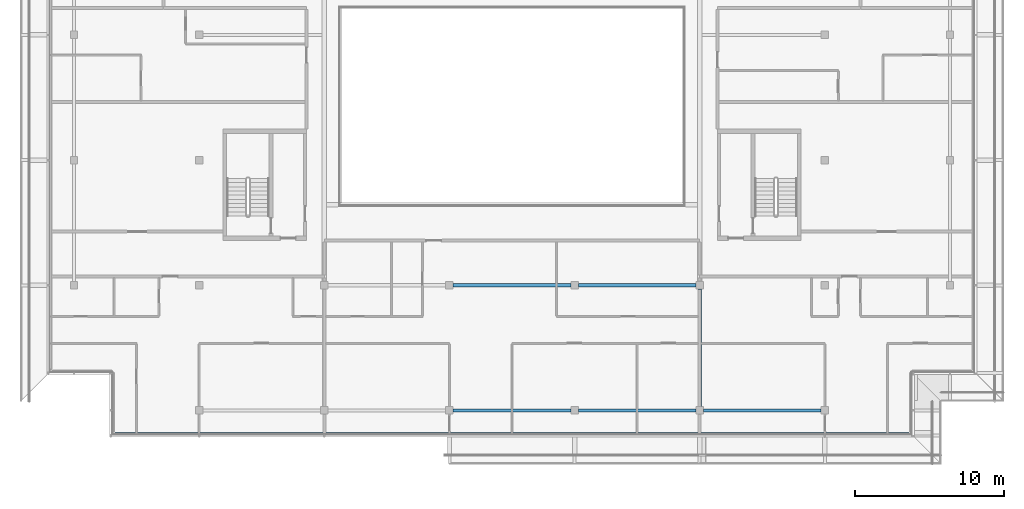
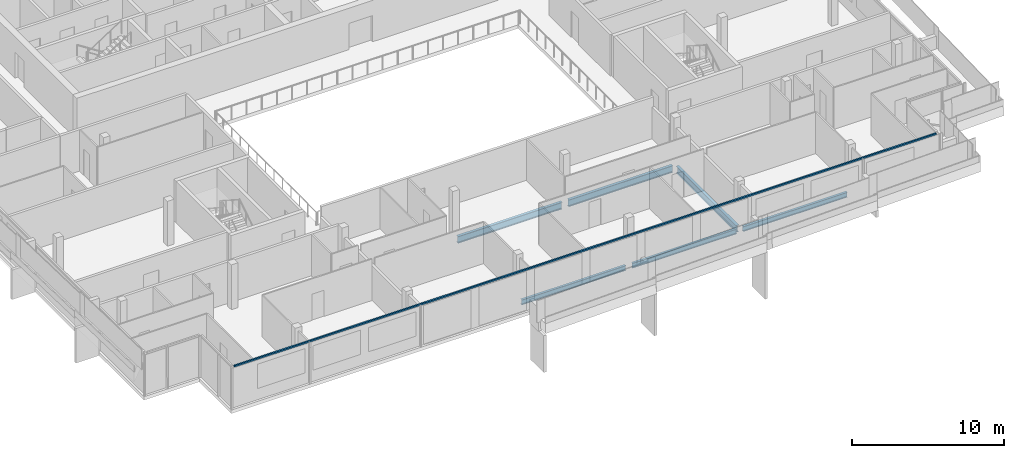
# One storey, part 5 of 26: 6 beams, 1 member, 1 element without a shape of its own.
"""IFC4 building model written with IfcOpenShell, lengths in metres."""

import ifcopenshell
import ifcopenshell.guid

model = None  # the IFC model being written
_history = None  # IfcOwnerHistory: only IFC2X3 demands one
_inside = {}  # id of a spatial element -> (the spatial element, [elements in it])
_under = {}  # id of a project, library or spatial element -> (it, [spatial elements below it])
_declared = {}  # id of a project -> (the project, [libraries it declares])
_typed = {}  # id of a type object -> (the type object, [elements of that type])
_made_of = {}  # id of a material, layer set ... -> (it, [elements and type objects made of it])


def new_model(schema):
    """Start an empty IFC model of exactly this schema.

    Asked for "IFC4X3", IfcOpenShell would pick the latest addendum, in which some entities
    have other attributes; the version numbers below select the first issue.
    IFC2X3 requires an IfcOwnerHistory on every rooted entity: one is made here for all.
    """
    global model, _history
    if schema == "IFC4X3":
        model = ifcopenshell.file(schema_version=(4, 3, 0, 0))
    else:
        model = ifcopenshell.file(schema=schema)
    _inside.clear()
    _under.clear()
    _declared.clear()
    _typed.clear()
    _made_of.clear()
    _history = None
    if model.schema == "IFC2X3":
        org = make("IfcOrganization", Name="unknown")
        user = make(
            "IfcPersonAndOrganization",
            ThePerson=make("IfcPerson", FamilyName="unknown"),
            TheOrganization=org,
        )
        app = make(
            "IfcApplication",
            ApplicationDeveloper=org,
            Version="unknown",
            ApplicationFullName="unknown",
            ApplicationIdentifier="unknown",
        )
        _history = make(
            "IfcOwnerHistory",
            OwningUser=user,
            OwningApplication=app,
            ChangeAction="ADDED",
            CreationDate=0,
        )
    return model


def make(cls, **values):
    """One entity of the class cls with the attributes given. An attribute that is None is left unset."""
    return model.create_entity(
        cls, **{name: value for name, value in values.items() if value is not None}
    )


def rooted(cls, **values):
    """An entity with a GlobalId (a new one), such as an element, a storey or a relation."""
    return make(cls, GlobalId=ifcopenshell.guid.new(), OwnerHistory=_history, **values)


def si_unit(unit_type, name, prefix=None):
    """IfcSIUnit, for example si_unit("LENGTHUNIT", "METRE", prefix="MILLI")."""
    return make("IfcSIUnit", UnitType=unit_type, Prefix=prefix, Name=name)


def assignment(units):
    """IfcUnitAssignment: the units of a project."""
    return None if units is None else make("IfcUnitAssignment", Units=units)


def point(xyz):
    """IfcCartesianPoint."""
    return None if xyz is None else make("IfcCartesianPoint", Coordinates=xyz)


def direction(xyz):
    """IfcDirection."""
    return None if xyz is None else make("IfcDirection", DirectionRatios=xyz)


def frame(location, z_axis=None, x_axis=None):
    """IfcAxis2Placement3D, a coordinate frame: its origin and axes. An axis left out is left unset."""
    return make(
        "IfcAxis2Placement3D",
        Location=point(location),
        Axis=direction(z_axis),
        RefDirection=direction(x_axis),
    )


def frame_2d(location, x_axis=None):
    """IfcAxis2Placement2D, a coordinate frame in the plane: its origin and x axis."""
    return make(
        "IfcAxis2Placement2D", Location=point(location), RefDirection=direction(x_axis)
    )


def origin():
    """The frame at (0, 0, 0) with its axes left unset."""
    return frame((0.0, 0.0, 0.0))


def origin_2d():
    """The frame at (0, 0) in the plane with its x axis left unset."""
    return frame_2d((0.0, 0.0))


def place(relative_to, where):
    """IfcLocalPlacement: puts the frame where relative to a parent placement (None: the world)."""
    return make(
        "IfcLocalPlacement", PlacementRelTo=relative_to, RelativePlacement=where
    )


def context(
    kind, dimensions, precision=None, world=None, true_north=None, identifier=None
):
    """IfcGeometricRepresentationContext, for example the 3D "Model" context."""
    return make(
        "IfcGeometricRepresentationContext",
        ContextIdentifier=identifier,
        ContextType=kind,
        CoordinateSpaceDimension=dimensions,
        Precision=precision,
        WorldCoordinateSystem=world,
        TrueNorth=true_north,
    )


def subcontext(parent, identifier, kind, view, scale=None):
    """IfcGeometricRepresentationSubContext, for example "Body" below "Model"."""
    return make(
        "IfcGeometricRepresentationSubContext",
        ContextIdentifier=identifier,
        ContextType=kind,
        ParentContext=parent,
        TargetScale=scale,
        TargetView=view,
    )


def project(units=None, contexts=None):
    """IfcProject with its units and contexts."""
    return rooted(
        "IfcProject",
        Name="project",
        RepresentationContexts=contexts,
        UnitsInContext=assignment(units),
    )


def spatial(cls, under=None, at=None, **own):
    """A site, building, storey or space (cls), placed at a placement, below another one or the project."""
    s = rooted(cls, ObjectPlacement=at, **own)
    if under is not None:
        _under.setdefault(under.id(), (under, []))[1].append(s)
    return s


def profile(cls, at=None, kind="AREA", **sizes):
    """A parametric profile (cls). Its sizes go by their IFC names, for example OverallWidth=200.0."""
    return make(cls, ProfileType=kind, Position=at, **sizes)


def rectangle(**sizes):
    """IfcRectangleProfileDef."""
    return profile("IfcRectangleProfileDef", **sizes)


def i_section(**sizes):
    """IfcIShapeProfileDef."""
    return profile("IfcIShapeProfileDef", **sizes)


def extrude(swept, where, along, depth):
    """IfcExtrudedAreaSolid: the profile swept, set in the frame where, extruded along a direction by depth."""
    return make(
        "IfcExtrudedAreaSolid",
        SweptArea=swept,
        Position=where,
        ExtrudedDirection=direction(along),
        Depth=depth,
    )


def shape(context_of_items, identifier, shape_type, items):
    """IfcShapeRepresentation: the items that make up one representation, for example the "Body"."""
    return make(
        "IfcShapeRepresentation",
        ContextOfItems=context_of_items,
        RepresentationIdentifier=identifier,
        RepresentationType=shape_type,
        Items=items,
    )


def material(Name=None, Category=None):
    """IfcMaterial."""
    return make("IfcMaterial", Name=Name, Category=Category)


def material_profile(
    of_material, cross_section, Name=None, Category=None, Priority=None
):
    """IfcMaterialProfile: a cross section and its material."""
    return make(
        "IfcMaterialProfile",
        Name=Name,
        Material=of_material,
        Profile=cross_section,
        Priority=Priority,
        Category=Category,
    )


def profile_set(profiles, Name=None, composite=None):
    """IfcMaterialProfileSet."""
    return make(
        "IfcMaterialProfileSet",
        Name=Name,
        MaterialProfiles=profiles,
        CompositeProfile=composite,
    )


def made_of(thing, what):
    """Note that an element or type object is made of a material, layer set ...; save() writes the relation."""
    if what is not None:
        _made_of.setdefault(what.id(), (what, []))[1].append(thing)
    return thing


def type_object(cls, material=None, **own):
    """A type object (cls), such as IfcWallType, which elements share."""
    return made_of(rooted(cls, **own), material)


def element(
    cls,
    number,
    at=None,
    inside=None,
    cuts=None,
    type_object=None,
    material=None,
    context=None,
    identifier="Body",
    shape_type=None,
    held_by="IfcProductDefinitionShape",
    body=None,
    shapes=None,
    **own,
):
    """One element of the class cls, such as IfcWall. Its Tag is "e" and its number.

    at: its placement. inside: the storey or other place that contains it. cuts: it is an
    opening in that element (IfcRelVoidsElement). A single representation is given by context,
    identifier, shape_type and body (its items); several are given by shapes. held_by: the class
    of the entity that holds the representations. save() writes the other relations.
    """
    e = rooted(cls, Tag="e%d" % number, ObjectPlacement=at, **own)
    if body is not None:
        shapes = [shape(context, identifier, shape_type, body)]
    if shapes is not None:
        e.Representation = make(held_by, Representations=shapes)
    if inside is not None:
        _inside.setdefault(inside.id(), (inside, []))[1].append(e)
    if cuts is not None:
        rooted(
            "IfcRelVoidsElement", RelatingBuildingElement=cuts, RelatedOpeningElement=e
        )
    if type_object is not None:
        _typed.setdefault(type_object.id(), (type_object, []))[1].append(e)
    return made_of(e, material)


def aggregate(whole, parts):
    """IfcRelAggregates: a whole, such as a stair, and the parts it consists of."""
    return rooted("IfcRelAggregates", RelatingObject=whole, RelatedObjects=parts)


def save(model, path):
    """Write the relations noted so far, then the file.

    IfcRelAggregates (storeys below a building ...), IfcRelContainedInSpatialStructure (elements
    in a storey), IfcRelDefinesByType, IfcRelAssociatesMaterial and IfcRelDeclares: one each for
    every whole, place, type object, material and project.
    """
    for whole, parts in _under.values():
        aggregate(whole, parts)
    for where, things in _inside.values():
        rooted(
            "IfcRelContainedInSpatialStructure",
            RelatedElements=things,
            RelatingStructure=where,
        )
    for kind, things in _typed.values():
        rooted("IfcRelDefinesByType", RelatedObjects=things, RelatingType=kind)
    for what, things in _made_of.values():
        rooted("IfcRelAssociatesMaterial", RelatedObjects=things, RelatingMaterial=what)
    for by, libraries in _declared.values():
        rooted("IfcRelDeclares", RelatingContext=by, RelatedDefinitions=libraries)
    model.write(path)


model = new_model("IFC4")

# Units and contexts
model_context = context("Model", 3, precision=1e-05, world=origin(), true_north=direction((0.0, 1.0)))
body_context = subcontext(model_context, "Body", "Model", "MODEL_VIEW")
ifc_project = project(units=[si_unit("LENGTHUNIT", "METRE"), si_unit("AREAUNIT", "SQUARE_METRE"), si_unit("VOLUMEUNIT", "CUBIC_METRE"), si_unit("PLANEANGLEUNIT", "RADIAN"), si_unit("MASSUNIT", "GRAM", prefix="KILO")], contexts=[model_context])

# Site, building, storey
site_placement = place(None, origin())
site = spatial("IfcSite", under=ifc_project, at=site_placement, CompositionType="ELEMENT")
building_placement = place(site_placement, origin())
building = spatial("IfcBuilding", under=site, at=building_placement, Name="Saffron Gate Tower", CompositionType="ELEMENT")
storey_placement = place(building_placement, frame((0.0, 0.0, 277.949951171875)))
storey = spatial("IfcBuildingStorey", under=building, at=storey_placement, Name="L67", CompositionType="ELEMENT", Elevation=277.949951171875)

# Beams
ifc_material_1 = material(Name="Structural steel S355", Category="steel")
ifc_material_profile_1 = material_profile(ifc_material_1, i_section(OverallWidth=0.2099609375, OverallDepth=0.550048828125, WebThickness=0.010986328125, FlangeThickness=0.01708984375, FilletRadius=0.02392578125, at=origin_2d()))
ifc_profile_set_1 = profile_set([ifc_material_profile_1], Name="Structural steel S355")
beam_type_1 = type_object("IfcBeamType", Name="B12 IPE 550", PredefinedType="BEAM", material=ifc_profile_set_1)
beam_1_placement = place(storey_placement, frame((100.199951171875, 32.050048828125, -0.554931640625), z_axis=(0.0, 1.0, 0.0), x_axis=(-1.0, 0.0, 0.0)))
element("IfcBeam", 1, at=beam_1_placement, inside=storey, type_object=beam_type_1, Name="B12 FLOOR GIRDER", PredefinedType="BEAM", context=body_context, shape_type="SweptSolid", body=[
    extrude(i_section(OverallWidth=0.2099609375, OverallDepth=0.550048828125, WebThickness=0.010986328125, FlangeThickness=0.01708984375, FilletRadius=0.02392578125, at=origin_2d()), origin(), (0.0, 0.0, 1.0), 7.89990234375),
])
beam_2_placement = place(storey_placement, frame((83.64990234375, 40.199951171875, -0.554931640625), z_axis=(1.0, 0.0, 0.0), x_axis=(0.0, 1.0, 0.0)))
element("IfcBeam", 2, at=beam_2_placement, inside=storey, type_object=beam_type_1, Name="B12 FLOOR GIRDER", PredefinedType="BEAM", context=body_context, shape_type="SweptSolid", body=[
    extrude(i_section(OverallWidth=0.2099609375, OverallDepth=0.550048828125, WebThickness=0.010986328125, FlangeThickness=0.01708984375, FilletRadius=0.02392578125, at=origin_2d()), origin(), (0.0, 0.0, 1.0), 7.900146484375),
])
beam_3_placement = place(storey_placement, frame((92.050048828125, 40.199951171875, -0.554931640625), z_axis=(1.0, 0.0, 0.0), x_axis=(0.0, 1.0, 0.0)))
element("IfcBeam", 3, at=beam_3_placement, inside=storey, type_object=beam_type_1, Name="B12 FLOOR GIRDER", PredefinedType="BEAM", context=body_context, shape_type="SweptSolid", body=[
    extrude(i_section(OverallWidth=0.2099609375, OverallDepth=0.550048828125, WebThickness=0.010986328125, FlangeThickness=0.01708984375, FilletRadius=0.02392578125, at=origin_2d()), origin(), (0.0, 0.0, 1.0), 7.89990234375),
])
ifc_material_profile_2 = material_profile(ifc_material_1, i_section(OverallWidth=0.179931640625, OverallDepth=0.39990234375, WebThickness=0.008544921875, FlangeThickness=0.013427734375, FilletRadius=0.02099609375, at=origin_2d()))
ifc_profile_set_2 = profile_set([ifc_material_profile_2], Name="Structural steel S355")
beam_type_2 = type_object("IfcBeamType", Name="B5 IPE 400", PredefinedType="SPANDREL", material=ifc_profile_set_2)
beam_4_placement = place(storey_placement, frame((83.64990234375, 31.800048828125, -0.47998046875), z_axis=(1.0, 0.0, 0.0), x_axis=(0.0, 1.0, 0.0)))
element("IfcBeam", 4, at=beam_4_placement, inside=storey, type_object=beam_type_2, Name="B5 SPANDREL BEAM", PredefinedType="SPANDREL", context=body_context, shape_type="SweptSolid", body=[
    extrude(i_section(OverallWidth=0.179931640625, OverallDepth=0.39990234375, WebThickness=0.008544921875, FlangeThickness=0.013427734375, FilletRadius=0.02099609375, at=origin_2d()), origin(), (0.0, 0.0, 1.0), 7.900146484375),
])
beam_5_placement = place(storey_placement, frame((92.050048828125, 31.800048828125, -0.47998046875), z_axis=(1.0, 0.0, 0.0), x_axis=(0.0, 1.0, 0.0)))
element("IfcBeam", 5, at=beam_5_placement, inside=storey, type_object=beam_type_2, Name="B5 SPANDREL BEAM", PredefinedType="SPANDREL", context=body_context, shape_type="SweptSolid", body=[
    extrude(i_section(OverallWidth=0.179931640625, OverallDepth=0.39990234375, WebThickness=0.008544921875, FlangeThickness=0.013427734375, FilletRadius=0.02099609375, at=origin_2d()), origin(), (0.0, 0.0, 1.0), 7.89990234375),
])
beam_6_placement = place(storey_placement, frame((100.449951171875, 31.800048828125, -0.47998046875), z_axis=(1.0, 0.0, 0.0), x_axis=(0.0, 1.0, 0.0)))
element("IfcBeam", 6, at=beam_6_placement, inside=storey, type_object=beam_type_2, Name="B5 SPANDREL BEAM", PredefinedType="SPANDREL", context=body_context, shape_type="SweptSolid", body=[
    extrude(i_section(OverallWidth=0.179931640625, OverallDepth=0.39990234375, WebThickness=0.008544921875, FlangeThickness=0.013427734375, FilletRadius=0.02099609375, at=origin_2d()), origin(), (0.0, 0.0, 1.0), 7.900146484375),
])

# Curtain wall, member
ifc_material_2 = material(Name="Aluminium, bronze anodised", Category="aluminium")
curtain_wall_type = type_object("IfcCurtainWallType", Name="CWS1 curtain wall front facade", PredefinedType="NOTDEFINED", material=ifc_material_2)
curtain_wall_placement = place(storey_placement, origin())
curtain_wall = element("IfcCurtainWall", 7, at=curtain_wall_placement, inside=storey, type_object=curtain_wall_type, Name="CWS1 run 1", PredefinedType="NOTDEFINED")
ifc_material_profile_3 = material_profile(ifc_material_2, rectangle(XDim=0.1201171875, YDim=0.1201171875, at=origin_2d()))
ifc_profile_set_3 = profile_set([ifc_material_profile_3], Name="Aluminium, bronze anodised")
member_type = type_object("IfcMemberType", Name="CWS1 head transom", PredefinedType="USERDEFINED", material=ifc_profile_set_3)
member_placement = place(storey_placement, frame((60.968017578125, 30.248046875, 3.260009765625), z_axis=(1.0, 0.0, 0.0), x_axis=(0.0, 1.0, 0.0)))
member = element("IfcMember", 8, at=member_placement, type_object=member_type, Name="CWS1 head transom", ObjectType="TRANSOM", PredefinedType="USERDEFINED", context=body_context, shape_type="SweptSolid", body=[
    extrude(rectangle(XDim=0.1201171875, YDim=0.1201171875, at=origin_2d()), origin(), (0.0, 0.0, 1.0), 53.263916015625),
])
aggregate(curtain_wall, [member])

save(model, "model.ifc")
